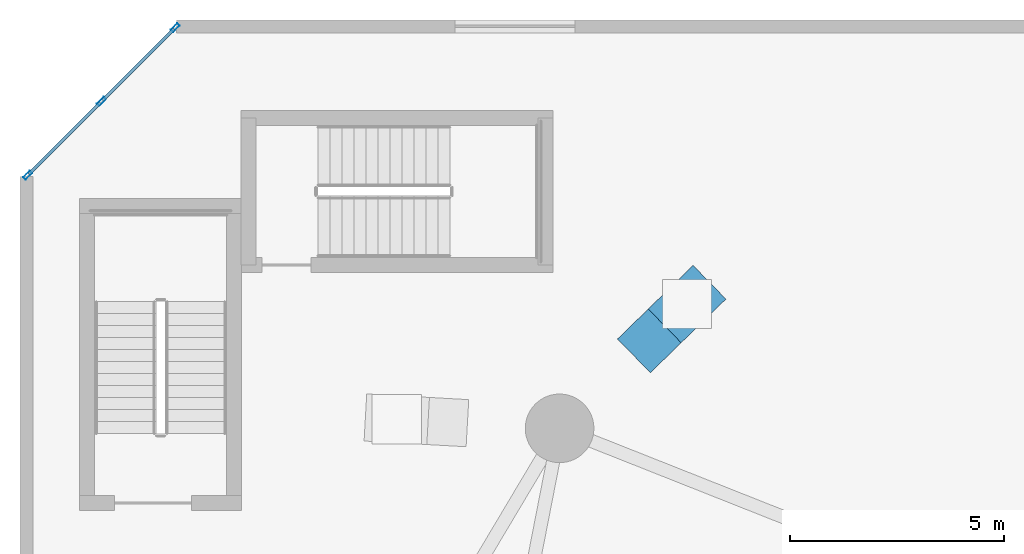
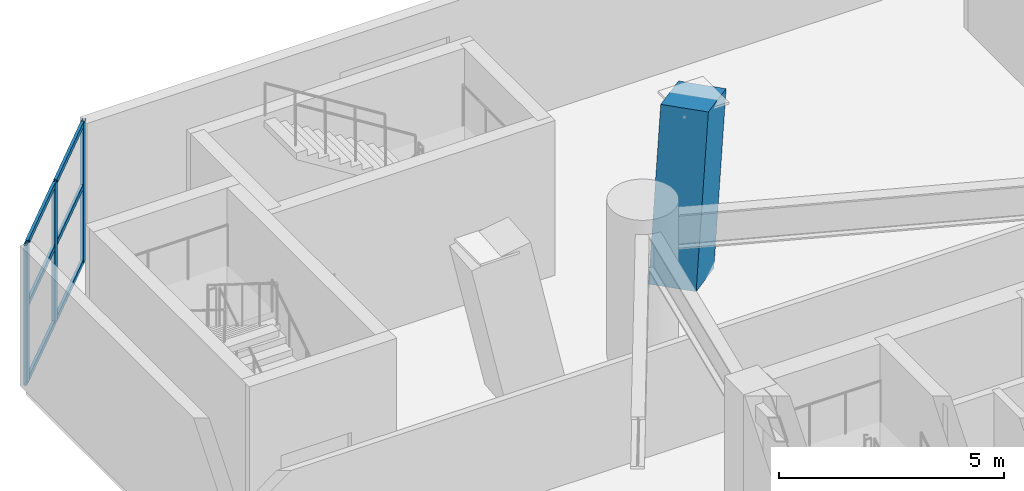
# One storey, part 5 of 20: 10 members, 1 element without a shape of its own.
"""IFC4 building model written with IfcOpenShell, lengths in metres."""

from ifc_helpers import new_model, si_unit, direction, frame, origin, origin_2d, place, context, subcontext, project, spatial, rectangle, hollow_rectangle, extrude, material, layer, layer_set, material_profile, profile_set, type_object, element, aggregate, save


model = new_model("IFC4")

# Units and contexts
model_context = context("Model", 3, precision=1e-05, world=origin(), true_north=direction((0.0, 1.0)))
body_context = subcontext(model_context, "Body", "Model", "MODEL_VIEW")
ifc_project = project(units=[si_unit("LENGTHUNIT", "METRE"), si_unit("AREAUNIT", "SQUARE_METRE"), si_unit("VOLUMEUNIT", "CUBIC_METRE"), si_unit("PLANEANGLEUNIT", "RADIAN"), si_unit("MASSUNIT", "GRAM", prefix="KILO")], contexts=[model_context])

# Site, building, storey
site_placement = place(None, origin())
site = spatial("IfcSite", under=ifc_project, at=site_placement, CompositionType="ELEMENT")
building_placement = place(site_placement, origin())
building = spatial("IfcBuilding", under=site, at=building_placement, Name="Cununo Teusaquillo Station Towers", CompositionType="ELEMENT")
storey_placement = place(building_placement, frame((0.0, 0.0, 13.199951171875)))
storey = spatial("IfcBuildingStorey", under=building, at=storey_placement, Name="L03", CompositionType="ELEMENT", Elevation=13.199951171875)

# Curtain wall, members
ifc_material_1 = material(Name="Ceramic-fritted dark low-E double glazing", Category="glass")
ifc_layer = layer(ifc_material_1, 0.179931640625)
ifc_layer_set = layer_set([ifc_layer], Name="Ceramic-fritted dark low-E double glazing")
curtain_wall_type = type_object("IfcCurtainWallType", Name="CW-SYS-01", PredefinedType="USERDEFINED", material=ifc_layer_set)
curtain_wall_placement = place(storey_placement, origin())
curtain_wall = element("IfcCurtainWall", 1, at=curtain_wall_placement, inside=storey, type_object=curtain_wall_type, Name="L03 Station Podium Corner Curtain Wall 2", ObjectType="FRITTED GLAZING", PredefinedType="USERDEFINED")
ifc_material_2 = material(Name="Anodised dark bronze aluminium EN AW-6063-T6", Category="aluminium")
ifc_material_profile_1 = material_profile(ifc_material_2, hollow_rectangle(XDim=0.080078125, YDim=0.219970703125, WallThickness=0.0048828125, at=origin_2d()), Name="CW-MULL-80x220")
ifc_profile_set_1 = profile_set([ifc_material_profile_1], Name="Anodised dark bronze aluminium EN AW-6063-T6")
member_type_1 = type_object("IfcMemberType", Name="CWM-220", PredefinedType="MULLION", material=ifc_profile_set_1)
member_1_placement = place(storey_placement, frame((0.328369140625, 44.5283203125, 0.0), z_axis=(0.0, 0.0, 1.0), x_axis=(-0.707106781187, 0.707106781187, 0.0)))
member_1 = element("IfcMember", 2, at=member_1_placement, type_object=member_type_1, Name="CW-01 mullion 1", PredefinedType="MULLION", context=body_context, shape_type="SweptSolid", body=[
    extrude(hollow_rectangle(XDim=0.080078125, YDim=0.219970703125, WallThickness=0.0048828125, at=origin_2d()), origin(), (0.0, 0.0, 1.0), 3.800048828125),
])
member_2_placement = place(storey_placement, frame((2.050048828125, 46.25, 0.0), z_axis=(0.0, 0.0, 1.0), x_axis=(-0.707106781187, 0.707106781187, 0.0)))
member_2 = element("IfcMember", 3, at=member_2_placement, type_object=member_type_1, Name="CW-01 mullion 2", PredefinedType="MULLION", context=body_context, shape_type="SweptSolid", body=[
    extrude(hollow_rectangle(XDim=0.080078125, YDim=0.219970703125, WallThickness=0.0048828125, at=origin_2d()), origin(), (0.0, 0.0, 1.0), 3.800048828125),
])
member_3_placement = place(storey_placement, frame((3.771728515625, 47.9716796875, 0.0), z_axis=(0.0, 0.0, 1.0), x_axis=(-0.707106781187, 0.707106781187, 0.0)))
member_3 = element("IfcMember", 4, at=member_3_placement, type_object=member_type_1, Name="CW-01 mullion 3", PredefinedType="MULLION", context=body_context, shape_type="SweptSolid", body=[
    extrude(hollow_rectangle(XDim=0.080078125, YDim=0.219970703125, WallThickness=0.0048828125, at=origin_2d()), origin(), (0.0, 0.0, 1.0), 3.800048828125),
])
ifc_material_3 = material(Name="Anodised dark bronze aluminium EN AW-6063-T6", Category="aluminium")
ifc_material_profile_2 = material_profile(ifc_material_3, hollow_rectangle(XDim=0.070068359375, YDim=0.139892578125, WallThickness=0.00390625, at=origin_2d()), Name="CW-TRAN-70x140")
ifc_profile_set_2 = profile_set([ifc_material_profile_2], Name="Anodised dark bronze aluminium EN AW-6063-T6")
member_type_2 = type_object("IfcMemberType", Name="CWT-140", PredefinedType="USERDEFINED", material=ifc_profile_set_2)
member_4_placement = place(storey_placement, frame((0.356689453125, 44.556640625, 0.03515625), z_axis=(0.707106781187, 0.707106781187, 0.0), x_axis=(-0.707106781187, 0.707106781187, 0.0)))
member_4 = element("IfcMember", 5, at=member_4_placement, type_object=member_type_2, Name="CW-01 transom 1.1", ObjectType="TRANSOM", PredefinedType="USERDEFINED", context=body_context, shape_type="SweptSolid", body=[
    extrude(hollow_rectangle(XDim=0.070068359375, YDim=0.139892578125, WallThickness=0.00390625, at=origin_2d()), origin(), (0.0, 0.0, 1.0), 2.354736328125),
])
member_5_placement = place(storey_placement, frame((0.356689453125, 44.556640625, 2.090087890625), z_axis=(0.707106781187, 0.707106781187, 0.0), x_axis=(-0.707106781187, 0.707106781187, 0.0)))
member_5 = element("IfcMember", 6, at=member_5_placement, type_object=member_type_2, Name="CW-01 transom 1.2", ObjectType="TRANSOM", PredefinedType="USERDEFINED", context=body_context, shape_type="SweptSolid", body=[
    extrude(hollow_rectangle(XDim=0.070068359375, YDim=0.139892578125, WallThickness=0.00390625, at=origin_2d()), origin(), (0.0, 0.0, 1.0), 2.354736328125),
])
member_6_placement = place(storey_placement, frame((0.356689453125, 44.556640625, 3.76513671875), z_axis=(0.707106781187, 0.707106781187, 0.0), x_axis=(-0.707106781187, 0.707106781187, 0.0)))
member_6 = element("IfcMember", 7, at=member_6_placement, type_object=member_type_2, Name="CW-01 transom 1.3", ObjectType="TRANSOM", PredefinedType="USERDEFINED", context=body_context, shape_type="SweptSolid", body=[
    extrude(hollow_rectangle(XDim=0.070068359375, YDim=0.139892578125, WallThickness=0.00390625, at=origin_2d()), origin(), (0.0, 0.0, 1.0), 2.354736328125),
])
member_7_placement = place(storey_placement, frame((2.078369140625, 46.2783203125, 0.03515625), z_axis=(0.707106781187, 0.707106781187, 0.0), x_axis=(-0.707106781187, 0.707106781187, 0.0)))
member_7 = element("IfcMember", 8, at=member_7_placement, type_object=member_type_2, Name="CW-01 transom 2.1", ObjectType="TRANSOM", PredefinedType="USERDEFINED", context=body_context, shape_type="SweptSolid", body=[
    extrude(hollow_rectangle(XDim=0.070068359375, YDim=0.139892578125, WallThickness=0.00390625, at=origin_2d()), origin(), (0.0, 0.0, 1.0), 2.354736328125),
])
member_8_placement = place(storey_placement, frame((2.078369140625, 46.2783203125, 2.090087890625), z_axis=(0.707106781187, 0.707106781187, 0.0), x_axis=(-0.707106781187, 0.707106781187, 0.0)))
member_8 = element("IfcMember", 9, at=member_8_placement, type_object=member_type_2, Name="CW-01 transom 2.2", ObjectType="TRANSOM", PredefinedType="USERDEFINED", context=body_context, shape_type="SweptSolid", body=[
    extrude(hollow_rectangle(XDim=0.070068359375, YDim=0.139892578125, WallThickness=0.00390625, at=origin_2d()), origin(), (0.0, 0.0, 1.0), 2.354736328125),
])
member_9_placement = place(storey_placement, frame((2.078369140625, 46.2783203125, 3.76513671875), z_axis=(0.707106781187, 0.707106781187, 0.0), x_axis=(-0.707106781187, 0.707106781187, 0.0)))
member_9 = element("IfcMember", 10, at=member_9_placement, type_object=member_type_2, Name="CW-01 transom 2.3", ObjectType="TRANSOM", PredefinedType="USERDEFINED", context=body_context, shape_type="SweptSolid", body=[
    extrude(hollow_rectangle(XDim=0.070068359375, YDim=0.139892578125, WallThickness=0.00390625, at=origin_2d()), origin(), (0.0, 0.0, 1.0), 2.354736328125),
])
aggregate(curtain_wall, [member_1, member_2, member_3, member_4, member_5, member_6, member_7, member_8, member_9])

# Member
ifc_material_4 = material(Name="Concrete C60/75", Category="concrete")
ifc_material_profile_3 = material_profile(ifc_material_4, rectangle(XDim=1.10009765625, YDim=1.5, at=origin_2d()), Name="RC-RECT-1500x1100")
ifc_profile_set_3 = profile_set([ifc_material_profile_3], Name="Concrete C60/75")
member_type_3 = type_object("IfcMemberType", Name="MBR-VFOOT", PredefinedType="USERDEFINED", material=ifc_profile_set_3)
member_10_placement = place(storey_placement, frame((14.995361328125, 40.8232421875, 0.0), z_axis=(0.166284993933, 0.162101012446, 0.972662614968), x_axis=(-0.698040844894, 0.716057943786, 0.0)))
element("IfcMember", 11, at=member_10_placement, inside=storey, type_object=member_type_3, Name="L03 Tower A Sloping Concrete V-Foot V06L", ObjectType="V FOOT STRUT", PredefinedType="USERDEFINED", context=body_context, shape_type="SweptSolid", body=[
    extrude(rectangle(XDim=1.10009765625, YDim=1.5, at=origin_2d()), origin(), (0.0, 0.0, 1.0), 4.318115234375),
])

save(model, "model.ifc")
